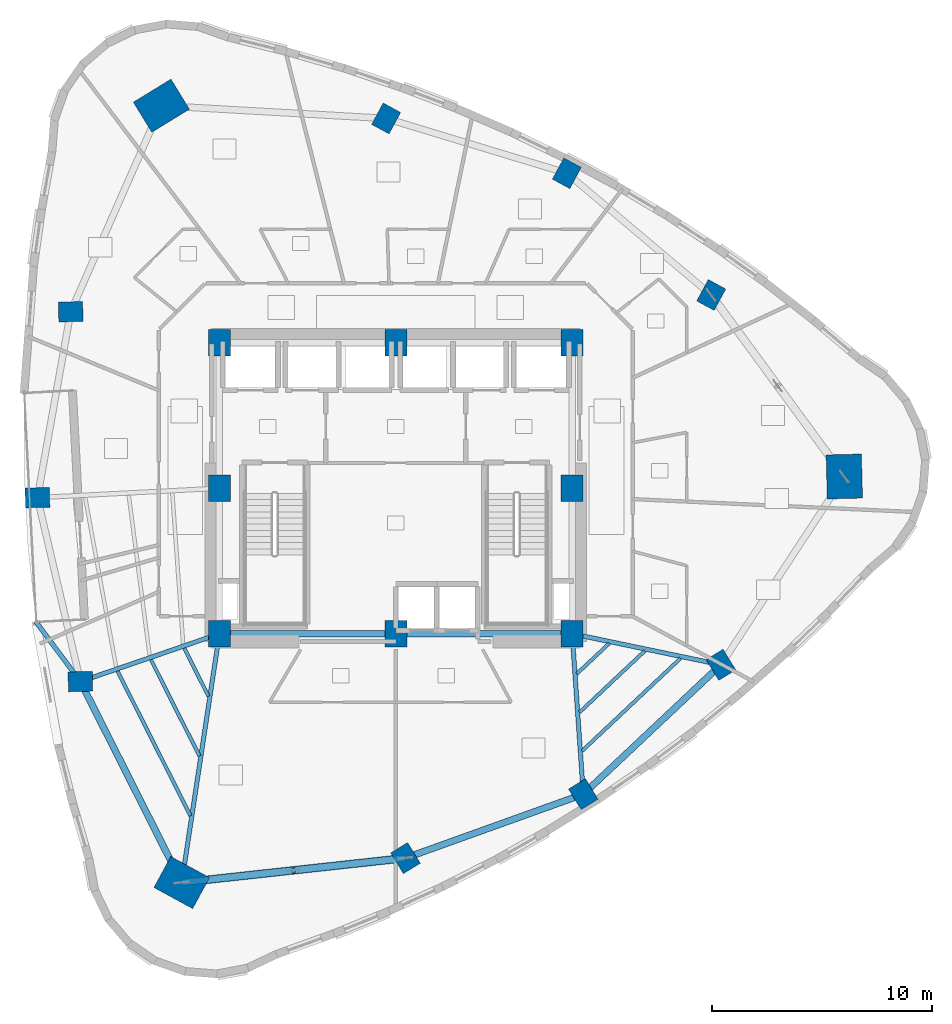
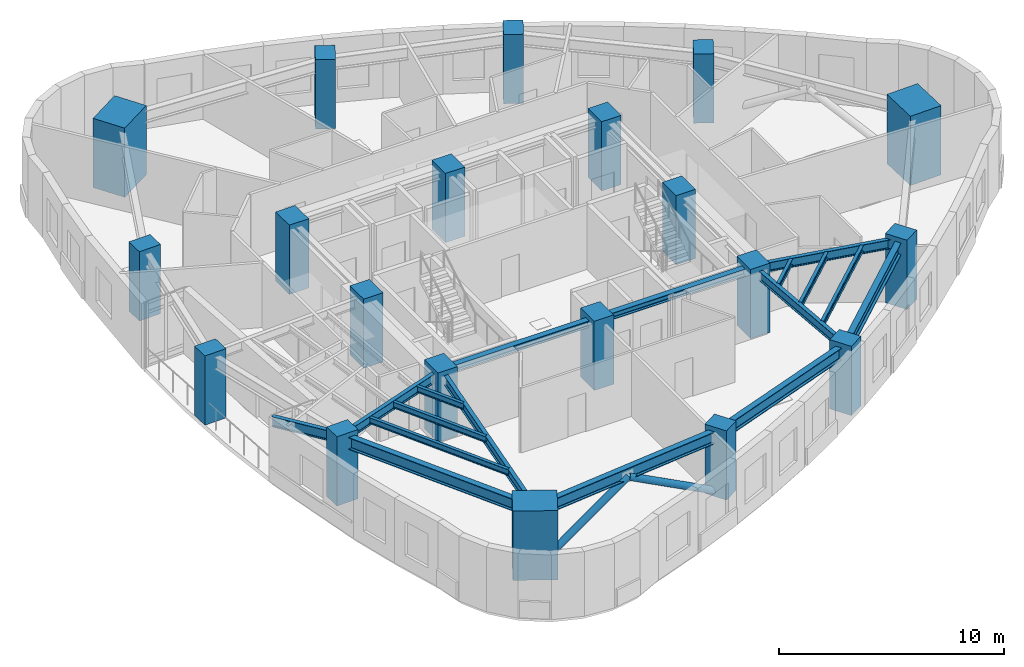
# One storey, part 1 of 13: 20 columns, 17 beams, 2 members.
"""IFC4 building model written with IfcOpenShell, lengths in metres."""

from ifc_helpers import new_model, si_unit, direction, frame, origin, origin_2d, place, context, subcontext, project, spatial, rectangle, hollow_circle, i_section, extrude, material, material_profile, profile_set, type_object, element, save


model = new_model("IFC4")

# Units and contexts
model_context = context("Model", 3, precision=1e-05, world=origin(), true_north=direction((0.0, 1.0)))
body_context = subcontext(model_context, "Body", "Model", "MODEL_VIEW")
ifc_project = project(units=[si_unit("LENGTHUNIT", "METRE"), si_unit("AREAUNIT", "SQUARE_METRE"), si_unit("VOLUMEUNIT", "CUBIC_METRE"), si_unit("PLANEANGLEUNIT", "RADIAN"), si_unit("MASSUNIT", "GRAM", prefix="KILO")], contexts=[model_context])

# Site, building, storey
site_placement = place(None, origin())
site = spatial("IfcSite", under=ifc_project, at=site_placement, CompositionType="ELEMENT")
building_placement = place(site_placement, origin())
building = spatial("IfcBuilding", under=site, at=building_placement, Name="Ndelora Gate Hotel", CompositionType="ELEMENT")
storey_placement = place(building_placement, frame((0.0, 0.0, 134.75)))
storey = spatial("IfcBuildingStorey", under=building, at=storey_placement, Name="L33", CompositionType="ELEMENT", Elevation=134.75)

# Columns
ifc_material_1 = material(Name="Concrete C60/75", Category="concrete")
ifc_material_profile_1 = material_profile(ifc_material_1, rectangle(XDim=1.0, YDim=1.199951171875, at=origin_2d()), Name="RC 1200x1000")
ifc_profile_set_1 = profile_set([ifc_material_profile_1], Name="Concrete C60/75")
column_type_1 = type_object("IfcColumnType", Name="COL-CC-MID", PredefinedType="COLUMN", material=ifc_profile_set_1)
for number, where, z_axis, x_axis, name in (
    (1, (-8.0, -6.60009765625, 0.0), (0.0, 0.0, 1.0), (1.0, 0.0, 0.0), "L33 Core Column CC1"),
    (2, (0.0, -6.60009765625, 0.0), (0.0, 0.0, 1.0), (1.0, 0.0, 0.0), "L33 Core Column CC2"),
    (3, (8.0, -6.60009765625, 0.0), (0.0, 0.0, 1.0), (1.0, 0.0, 0.0), "L33 Core Column CC3"),
    (4, (8.0, 0.0, 0.0), (0.0, 0.0, 1.0), (1.0, 0.0, 0.0), "L33 Core Column CC4"),
    (5, (8.0, 6.60009765625, 0.0), (0.0, 0.0, 1.0), (1.0, 0.0, 0.0), "L33 Core Column CC5"),
    (6, (0.0, 6.60009765625, 0.0), (0.0, 0.0, 1.0), (1.0, 0.0, 0.0), "L33 Core Column CC6"),
    (7, (-8.0, 6.60009765625, 0.0), (0.0, 0.0, 1.0), (1.0, 0.0, 0.0), "L33 Core Column CC7"),
    (8, (-8.0, 0.0, 0.0), (0.0, 0.0, 1.0), (1.0, 0.0, 0.0), "L33 Core Column CC8"),
):
    element("IfcColumn", number, at=place(storey_placement, frame(where, z_axis=z_axis, x_axis=x_axis)), inside=storey, type_object=column_type_1, Name=name, PredefinedType="COLUMN", context=body_context, shape_type="SweptSolid", body=[
        extrude(rectangle(XDim=1.0, YDim=1.199951171875, at=origin_2d()), origin(), (0.0, 0.0, 1.0), 3.75),
    ])
ifc_material_profile_2 = material_profile(ifc_material_1, rectangle(XDim=1.60009765625, YDim=2.0, at=origin_2d()), Name="RC 2000x1600")
ifc_profile_set_2 = profile_set([ifc_material_profile_2], Name="Concrete C60/75")
column_type_2 = type_object("IfcColumnType", Name="COL-MC-Z2", PredefinedType="COLUMN", material=ifc_profile_set_2)
for number, where, z_axis, x_axis, name in (
    (9, (-10.63330078125, 17.351806640625, 0.0), (0.0, 0.0, 1.0), (-0.522498564716, 0.852640164354, 0.0), "L33 Corner Mega-Column R1"),
    (10, (-9.71044921875, -17.884521484375, 0.0), (0.0, 0.0, 1.0), (0.47715876026, 0.878817112662, 0.0), "L33 Corner Mega-Column R5"),
    (11, (20.34375, 0.53271484375, 0.0), (0.0, 0.0, 1.0), (0.999657324976, 0.026176948308, 0.0), "L33 Corner Mega-Column R9"),
):
    element("IfcColumn", number, at=place(storey_placement, frame(where, z_axis=z_axis, x_axis=x_axis)), inside=storey, type_object=column_type_2, Name=name, PredefinedType="COLUMN", context=body_context, shape_type="SweptSolid", body=[
        extrude(rectangle(XDim=1.60009765625, YDim=2.0, at=origin_2d()), origin(), (0.0, 0.0, 1.0), 3.75),
    ])
ifc_material_profile_3 = material_profile(ifc_material_1, rectangle(XDim=0.89990234375, YDim=1.10009765625, at=origin_2d()), Name="RC 1100x900")
ifc_profile_set_3 = profile_set([ifc_material_profile_3], Name="Concrete C60/75")
column_type_3 = type_object("IfcColumnType", Name="COL-PT-Z2", PredefinedType="COLUMN", material=ifc_profile_set_3)
for number, where, z_axis, x_axis, name in (
    (12, (-14.74658203125, 8.006591796875, 0.0), (0.0, 0.0, 1.0), (-0.026176948308, 0.999657324976, 0.0), "L33 Perimeter Tube Column R2"),
    (13, (-16.25537109375, -0.42578125, 0.0), (0.0, 0.0, 1.0), (-0.026176948308, 0.999657324976, 0.0), "L33 Perimeter Tube Column R3"),
    (14, (-14.307373046875, -8.767578125, 0.0), (0.0, 0.0, 1.0), (-0.026176948308, 0.999657324976, 0.0), "L33 Perimeter Tube Column R4"),
    (15, (0.439208984375, -16.7744140625, 0.0), (0.0, 0.0, 1.0), (0.852640164354, 0.522498564716, 0.0), "L33 Perimeter Tube Column R6"),
    (16, (8.50439453125, -13.878173828125, 0.0), (0.0, 0.0, 1.0), (0.852640164354, 0.522498564716, 0.0), "L33 Perimeter Tube Column R7"),
    (17, (14.74658203125, -8.006591796875, 0.0), (0.0, 0.0, 1.0), (0.852640164354, 0.522498564716, 0.0), "L33 Perimeter Tube Column R8"),
    (18, (14.30712890625, 8.767333984375, 0.0), (0.0, 0.0, 1.0), (-0.878817112662, 0.47715876026, 0.0), "L33 Perimeter Tube Column R10"),
    (19, (7.759033203125, 14.290283203125, 0.0), (0.0, 0.0, 1.0), (-0.878817112662, 0.47715876026, 0.0), "L33 Perimeter Tube Column R11"),
    (20, (-0.439208984375, 16.7744140625, 0.0), (0.0, 0.0, 1.0), (-0.878817112662, 0.47715876026, 0.0), "L33 Perimeter Tube Column R12"),
):
    element("IfcColumn", number, at=place(storey_placement, frame(where, z_axis=z_axis, x_axis=x_axis)), inside=storey, type_object=column_type_3, Name=name, PredefinedType="COLUMN", context=body_context, shape_type="SweptSolid", body=[
        extrude(rectangle(XDim=0.89990234375, YDim=1.10009765625, at=origin_2d()), origin(), (0.0, 0.0, 1.0), 3.75),
    ])

# Beams
ifc_material_2 = material(Name="Steel S355", Category="steel")
ifc_material_profile_4 = material_profile(ifc_material_2, i_section(OverallWidth=0.300048828125, OverallDepth=0.360107421875, WebThickness=0.012451171875, FlangeThickness=0.0224609375, FilletRadius=0.027099609375, at=origin_2d()), Name="HEB 360")
ifc_profile_set_4 = profile_set([ifc_material_profile_4], Name="Steel S355")
beam_type_1 = type_object("IfcBeamType", Name="BM-CORE-360", PredefinedType="BEAM", material=ifc_profile_set_4)
for number, where, z_axis, x_axis, name in (
    (21, (-8.0, -6.60009765625, 3.320068359375), (1.0, 0.0, 0.0), (0.0, 1.0, 0.0), "L33 Core Tie Girder CC1-CC2"),
    (22, (0.0, -6.60009765625, 3.320068359375), (1.0, 0.0, 0.0), (0.0, 1.0, 0.0), "L33 Core Tie Girder CC2-CC3"),
):
    element("IfcBeam", number, at=place(storey_placement, frame(where, z_axis=z_axis, x_axis=x_axis)), inside=storey, type_object=beam_type_1, Name=name, PredefinedType="BEAM", context=body_context, shape_type="SweptSolid", body=[
        extrude(i_section(OverallWidth=0.300048828125, OverallDepth=0.360107421875, WebThickness=0.012451171875, FlangeThickness=0.0224609375, FilletRadius=0.027099609375, at=origin_2d()), origin(), (0.0, 0.0, 1.0), 8.0),
    ])
ifc_material_profile_5 = material_profile(ifc_material_2, i_section(OverallWidth=0.159912109375, OverallDepth=0.330078125, WebThickness=0.007568359375, FlangeThickness=0.011474609375, FilletRadius=0.01806640625, at=origin_2d()), Name="IPE 330")
ifc_profile_set_5 = profile_set([ifc_material_profile_5], Name="Steel S355")
beam_type_2 = type_object("IfcBeamType", Name="BM-JST-330", PredefinedType="JOIST", material=ifc_profile_set_5)
beam_1_placement = place(storey_placement, frame((-9.59033203125, -7.26171875, 3.3349609375), z_axis=(0.450139260243, -0.892958367668, 0.0), x_axis=(0.892958367668, 0.450139260243, 0.0)))
element("IfcBeam", 23, at=beam_1_placement, inside=storey, type_object=beam_type_2, Name="L33 Secondary Composite Floor Joist IN-4", PredefinedType="JOIST", context=body_context, shape_type="SweptSolid", body=[
    extrude(i_section(OverallWidth=0.159912109375, OverallDepth=0.330078125, WebThickness=0.007568359375, FlangeThickness=0.011474609375, FilletRadius=0.01806640625, at=origin_2d()), origin(), (0.0, 0.0, 1.0), 2.4345703125),
])
beam_2_placement = place(storey_placement, frame((-11.10400390625, -7.781982421875, 3.3349609375), z_axis=(0.450189724408, -0.892932926953, 0.0), x_axis=(0.892932926953, 0.450189724408, 0.0)))
element("IfcBeam", 24, at=beam_2_placement, inside=storey, type_object=beam_type_2, Name="L33 Secondary Composite Floor Joist MID-4", PredefinedType="JOIST", context=body_context, shape_type="SweptSolid", body=[
    extrude(i_section(OverallWidth=0.159912109375, OverallDepth=0.330078125, WebThickness=0.007568359375, FlangeThickness=0.011474609375, FilletRadius=0.01806640625, at=origin_2d()), origin(), (0.0, 0.0, 1.0), 4.885009765625),
])
beam_3_placement = place(storey_placement, frame((-12.617919921875, -8.30224609375, 3.3349609375), z_axis=(0.45023300903, -0.892911102843, 0.0), x_axis=(0.892911102843, 0.45023300903, 0.0)))
element("IfcBeam", 25, at=beam_3_placement, inside=storey, type_object=beam_type_2, Name="L33 Secondary Composite Floor Joist OUT-4", PredefinedType="JOIST", context=body_context, shape_type="SweptSolid", body=[
    extrude(i_section(OverallWidth=0.159912109375, OverallDepth=0.330078125, WebThickness=0.007568359375, FlangeThickness=0.011474609375, FilletRadius=0.01806640625, at=origin_2d()), origin(), (0.0, 0.0, 1.0), 7.335693359375),
])
beam_4_placement = place(storey_placement, frame((8.211181640625, -8.4169921875, 3.3349609375), z_axis=(0.728414088998, 0.685137150466, 0.0), x_axis=(-0.685137150466, 0.728414088998, 0.0)))
element("IfcBeam", 26, at=beam_4_placement, inside=storey, type_object=beam_type_2, Name="L33 Secondary Composite Floor Joist IN-7", PredefinedType="JOIST", context=body_context, shape_type="SweptSolid", body=[
    extrude(i_section(OverallWidth=0.159912109375, OverallDepth=0.330078125, WebThickness=0.007568359375, FlangeThickness=0.011474609375, FilletRadius=0.01806640625, at=origin_2d()), origin(), (0.0, 0.0, 1.0), 2.00830078125),
])
beam_5_placement = place(storey_placement, frame((8.33251953125, -10.163818359375, 3.3349609375), z_axis=(0.728369245526, 0.685184823366, 0.0), x_axis=(-0.685184823366, 0.728369245526, 0.0)))
element("IfcBeam", 27, at=beam_5_placement, inside=storey, type_object=beam_type_2, Name="L33 Secondary Composite Floor Joist MID-7", PredefinedType="JOIST", context=body_context, shape_type="SweptSolid", body=[
    extrude(i_section(OverallWidth=0.159912109375, OverallDepth=0.330078125, WebThickness=0.007568359375, FlangeThickness=0.011474609375, FilletRadius=0.01806640625, at=origin_2d()), origin(), (0.0, 0.0, 1.0), 4.06494140625),
])
beam_6_placement = place(storey_placement, frame((8.45361328125, -11.910400390625, 3.3349609375), z_axis=(0.728393161111, 0.68515939959, 0.0), x_axis=(-0.68515939959, 0.728393161111, 0.0)))
element("IfcBeam", 28, at=beam_6_placement, inside=storey, type_object=beam_type_2, Name="L33 Secondary Composite Floor Joist OUT-7", PredefinedType="JOIST", context=body_context, shape_type="SweptSolid", body=[
    extrude(i_section(OverallWidth=0.159912109375, OverallDepth=0.330078125, WebThickness=0.007568359375, FlangeThickness=0.011474609375, FilletRadius=0.01806640625, at=origin_2d()), origin(), (0.0, 0.0, 1.0), 6.121337890625),
])
ifc_material_profile_6 = material_profile(ifc_material_2, i_section(OverallWidth=0.199951171875, OverallDepth=0.5, WebThickness=0.01025390625, FlangeThickness=0.01611328125, FilletRadius=0.02099609375, at=origin_2d()), Name="IPE 500")
ifc_profile_set_6 = profile_set([ifc_material_profile_6], Name="Steel S355")
beam_type_3 = type_object("IfcBeamType", Name="BM-RAD-500", PredefinedType="BEAM", material=ifc_profile_set_6)
beam_7_placement = place(storey_placement, frame((-8.0, -6.60009765625, 3.25), z_axis=(-0.945717893913, -0.324988715392, 0.0), x_axis=(0.324988715392, -0.945717893913, 0.0)))
element("IfcBeam", 29, at=beam_7_placement, inside=storey, type_object=beam_type_3, Name="L33 Radial Floor Girder 4", PredefinedType="BEAM", context=body_context, shape_type="SweptSolid", body=[
    extrude(i_section(OverallWidth=0.199951171875, OverallDepth=0.5, WebThickness=0.01025390625, FlangeThickness=0.01611328125, FilletRadius=0.02099609375, at=origin_2d()), origin(), (0.0, 0.0, 1.0), 6.66943359375),
])
beam_8_placement = place(storey_placement, frame((-8.0, -6.60009765625, 3.25), z_axis=(-0.149864309615, -0.988706573612, 0.0), x_axis=(0.988706573612, -0.149864309615, 0.0)))
element("IfcBeam", 30, at=beam_8_placement, inside=storey, type_object=beam_type_3, Name="L33 Radial Floor Girder 5", PredefinedType="BEAM", context=body_context, shape_type="SweptSolid", body=[
    extrude(i_section(OverallWidth=0.199951171875, OverallDepth=0.5, WebThickness=0.01025390625, FlangeThickness=0.01611328125, FilletRadius=0.02099609375, at=origin_2d()), origin(), (0.0, 0.0, 1.0), 11.413330078125),
])
beam_9_placement = place(storey_placement, frame((8.0, -6.60009765625, 3.25), z_axis=(0.069137444551, -0.997607144001, 0.0), x_axis=(0.997607144001, 0.069137444551, 0.0)))
element("IfcBeam", 31, at=beam_9_placement, inside=storey, type_object=beam_type_3, Name="L33 Radial Floor Girder 7", PredefinedType="BEAM", context=body_context, shape_type="SweptSolid", body=[
    extrude(i_section(OverallWidth=0.199951171875, OverallDepth=0.5, WebThickness=0.01025390625, FlangeThickness=0.01611328125, FilletRadius=0.02099609375, at=origin_2d()), origin(), (0.0, 0.0, 1.0), 7.295654296875),
])
beam_10_placement = place(storey_placement, frame((8.0, -6.60009765625, 3.25), z_axis=(0.978952706778, -0.204087231083, 0.0), x_axis=(0.204087231083, 0.978952706778, 0.0)))
element("IfcBeam", 32, at=beam_10_placement, inside=storey, type_object=beam_type_3, Name="L33 Radial Floor Girder 8", PredefinedType="BEAM", context=body_context, shape_type="SweptSolid", body=[
    extrude(i_section(OverallWidth=0.199951171875, OverallDepth=0.5, WebThickness=0.01025390625, FlangeThickness=0.01611328125, FilletRadius=0.02099609375, at=origin_2d()), origin(), (0.0, 0.0, 1.0), 6.8916015625),
])
ifc_material_profile_7 = material_profile(ifc_material_2, i_section(OverallWidth=0.2099609375, OverallDepth=0.550048828125, WebThickness=0.010986328125, FlangeThickness=0.01708984375, FilletRadius=0.02392578125, at=origin_2d()), Name="IPE 550")
ifc_profile_set_7 = profile_set([ifc_material_profile_7], Name="Steel S355")
beam_type_4 = type_object("IfcBeamType", Name="BM-RAD-550", PredefinedType="BEAM", material=ifc_profile_set_7)
beam_11_placement = place(storey_placement, frame((-14.307373046875, -8.767578125, 3.22509765625), z_axis=(-0.597076866602, 0.802184028368, 0.0), x_axis=(-0.802184028368, -0.597076866602, 0.0)))
element("IfcBeam", 33, at=beam_11_placement, inside=storey, type_object=beam_type_4, Name="L33 Sky-Garden Loggia Column Bracket 3", PredefinedType="BEAM", context=body_context, shape_type="SweptSolid", body=[
    extrude(i_section(OverallWidth=0.2099609375, OverallDepth=0.550048828125, WebThickness=0.010986328125, FlangeThickness=0.01708984375, FilletRadius=0.02392578125, at=origin_2d()), origin(), (0.0, 0.0, 1.0), 3.3720703125),
])
ifc_material_profile_8 = material_profile(ifc_material_2, i_section(OverallWidth=0.300048828125, OverallDepth=0.64990234375, WebThickness=0.01611328125, FlangeThickness=0.031005859375, FilletRadius=0.027099609375, at=origin_2d()), Name="HEB 650")
ifc_profile_set_8 = profile_set([ifc_material_profile_8], Name="Steel S355")
beam_type_5 = type_object("IfcBeamType", Name="BM-RING-650", PredefinedType="SPANDREL", material=ifc_profile_set_8)
for number, where, z_axis, x_axis, name in (
    (34, (-14.307373046875, -8.767578125, 3.175048828125), (0.450223868811, -0.892915711561, 0.0), (0.892915711561, 0.450223868811, 0.0), "L33 Perimeter Spandrel Girder 4"),
    (35, (-9.71044921875, -17.884521484375, 3.175048828125), (0.994071812898, 0.108725483685, 0.0), (-0.108725483685, 0.994071812898, 0.0), "L33 Perimeter Spandrel Girder 5"),
):
    element("IfcBeam", number, at=place(storey_placement, frame(where, z_axis=z_axis, x_axis=x_axis)), inside=storey, type_object=beam_type_5, Name=name, PredefinedType="SPANDREL", context=body_context, shape_type="SweptSolid", body=[
        extrude(i_section(OverallWidth=0.300048828125, OverallDepth=0.64990234375, WebThickness=0.01611328125, FlangeThickness=0.031005859375, FilletRadius=0.027099609375, at=origin_2d()), origin(), (0.0, 0.0, 1.0), 10.210205078125),
    ])
beam_12_placement = place(storey_placement, frame((0.439208984375, -16.7744140625, 3.175048828125), z_axis=(0.941155870835, 0.337972819607, 0.0), x_axis=(-0.337972819607, 0.941155870835, 0.0)))
element("IfcBeam", 36, at=beam_12_placement, inside=storey, type_object=beam_type_5, Name="L33 Perimeter Spandrel Girder 6", PredefinedType="SPANDREL", context=body_context, shape_type="SweptSolid", body=[
    extrude(i_section(OverallWidth=0.300048828125, OverallDepth=0.64990234375, WebThickness=0.01611328125, FlangeThickness=0.031005859375, FilletRadius=0.027099609375, at=origin_2d()), origin(), (0.0, 0.0, 1.0), 8.5693359375),
])
beam_13_placement = place(storey_placement, frame((8.50439453125, -13.878173828125, 3.175048828125), z_axis=(0.728399016952, 0.68515317419, 0.0), x_axis=(-0.68515317419, 0.728399016952, 0.0)))
element("IfcBeam", 37, at=beam_13_placement, inside=storey, type_object=beam_type_5, Name="L33 Perimeter Spandrel Girder 7", PredefinedType="SPANDREL", context=body_context, shape_type="SweptSolid", body=[
    extrude(i_section(OverallWidth=0.300048828125, OverallDepth=0.64990234375, WebThickness=0.01611328125, FlangeThickness=0.031005859375, FilletRadius=0.027099609375, at=origin_2d()), origin(), (0.0, 0.0, 1.0), 8.56982421875),
])

# Members
ifc_material_profile_9 = material_profile(ifc_material_2, hollow_circle(Radius=0.177978515625, WallThickness=0.01611328125, at=origin_2d()), Name="CHS 356x16")
ifc_profile_set_9 = profile_set([ifc_material_profile_9], Name="Steel S355")
member_type = type_object("IfcMemberType", Name="MB-TUBE-356", PredefinedType="BRACE", material=ifc_profile_set_9)
member_1_placement = place(storey_placement, frame((-9.71044921875, -17.884521484375, 0.02001953125), z_axis=(0.862164358584, 0.094279783848, 0.497779008341), x_axis=(-0.108704438667, 0.994074114447, 0.0)))
element("IfcMember", 38, at=member_1_placement, inside=storey, type_object=member_type, Name="L33 Perimeter Braced-Tube Diagonal 5A", PredefinedType="BRACE", context=body_context, shape_type="SweptSolid", body=[
    extrude(hollow_circle(Radius=0.177978515625, WallThickness=0.01611328125, at=origin_2d()), origin(), (0.0, 0.0, 1.0), 5.885986328125),
])
member_2_placement = place(storey_placement, frame((0.439208984375, -16.7744140625, 0.02001953125), z_axis=(-0.862171632255, -0.094317520169, 0.497759261013), x_axis=(0.108746527545, -0.994069511024, 0.0)))
element("IfcMember", 39, at=member_2_placement, inside=storey, type_object=member_type, Name="L33 Perimeter Braced-Tube Diagonal 5B", PredefinedType="BRACE", context=body_context, shape_type="SweptSolid", body=[
    extrude(hollow_circle(Radius=0.177978515625, WallThickness=0.01611328125, at=origin_2d()), origin(), (0.0, 0.0, 1.0), 5.88623046875),
])

save(model, "model.ifc")
